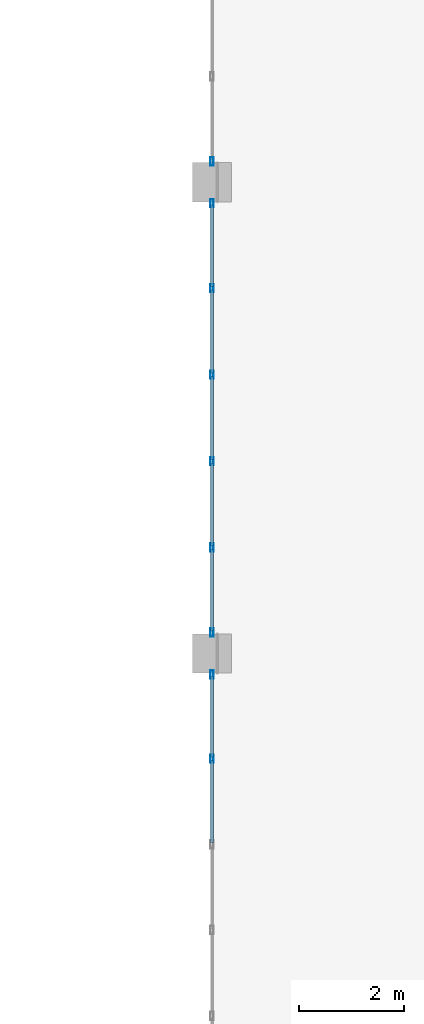
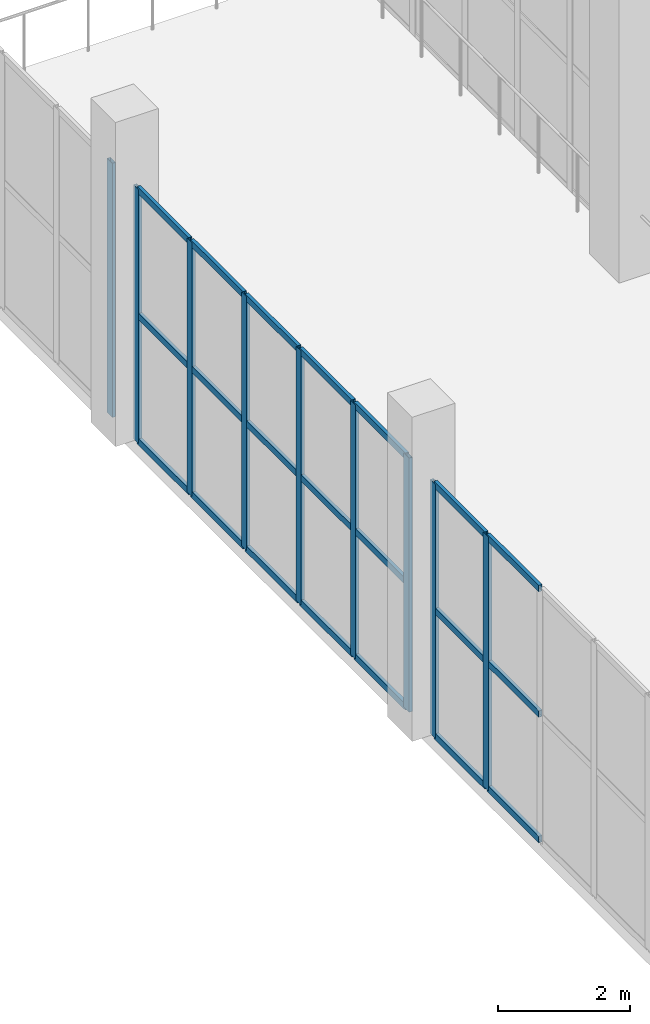
# One storey, part 108 of 223: 30 members, 3 elements without a shape of their own.
"""IFC4 building model written with IfcOpenShell, lengths in metres."""

import ifcopenshell
import ifcopenshell.guid

model = None  # the IFC model being written
_history = None  # IfcOwnerHistory: only IFC2X3 demands one
_inside = {}  # id of a spatial element -> (the spatial element, [elements in it])
_under = {}  # id of a project, library or spatial element -> (it, [spatial elements below it])
_declared = {}  # id of a project -> (the project, [libraries it declares])
_typed = {}  # id of a type object -> (the type object, [elements of that type])
_made_of = {}  # id of a material, layer set ... -> (it, [elements and type objects made of it])


def new_model(schema):
    """Start an empty IFC model of exactly this schema.

    Asked for "IFC4X3", IfcOpenShell would pick the latest addendum, in which some entities
    have other attributes; the version numbers below select the first issue.
    IFC2X3 requires an IfcOwnerHistory on every rooted entity: one is made here for all.
    """
    global model, _history
    if schema == "IFC4X3":
        model = ifcopenshell.file(schema_version=(4, 3, 0, 0))
    else:
        model = ifcopenshell.file(schema=schema)
    _inside.clear()
    _under.clear()
    _declared.clear()
    _typed.clear()
    _made_of.clear()
    _history = None
    if model.schema == "IFC2X3":
        org = make("IfcOrganization", Name="unknown")
        user = make(
            "IfcPersonAndOrganization",
            ThePerson=make("IfcPerson", FamilyName="unknown"),
            TheOrganization=org,
        )
        app = make(
            "IfcApplication",
            ApplicationDeveloper=org,
            Version="unknown",
            ApplicationFullName="unknown",
            ApplicationIdentifier="unknown",
        )
        _history = make(
            "IfcOwnerHistory",
            OwningUser=user,
            OwningApplication=app,
            ChangeAction="ADDED",
            CreationDate=0,
        )
    return model


def make(cls, **values):
    """One entity of the class cls with the attributes given. An attribute that is None is left unset."""
    return model.create_entity(
        cls, **{name: value for name, value in values.items() if value is not None}
    )


def rooted(cls, **values):
    """An entity with a GlobalId (a new one), such as an element, a storey or a relation."""
    return make(cls, GlobalId=ifcopenshell.guid.new(), OwnerHistory=_history, **values)


def si_unit(unit_type, name, prefix=None):
    """IfcSIUnit, for example si_unit("LENGTHUNIT", "METRE", prefix="MILLI")."""
    return make("IfcSIUnit", UnitType=unit_type, Prefix=prefix, Name=name)


def assignment(units):
    """IfcUnitAssignment: the units of a project."""
    return None if units is None else make("IfcUnitAssignment", Units=units)


def point(xyz):
    """IfcCartesianPoint."""
    return None if xyz is None else make("IfcCartesianPoint", Coordinates=xyz)


def direction(xyz):
    """IfcDirection."""
    return None if xyz is None else make("IfcDirection", DirectionRatios=xyz)


def frame(location, z_axis=None, x_axis=None):
    """IfcAxis2Placement3D, a coordinate frame: its origin and axes. An axis left out is left unset."""
    return make(
        "IfcAxis2Placement3D",
        Location=point(location),
        Axis=direction(z_axis),
        RefDirection=direction(x_axis),
    )


def frame_2d(location, x_axis=None):
    """IfcAxis2Placement2D, a coordinate frame in the plane: its origin and x axis."""
    return make(
        "IfcAxis2Placement2D", Location=point(location), RefDirection=direction(x_axis)
    )


def origin():
    """The frame at (0, 0, 0) with its axes left unset."""
    return frame((0.0, 0.0, 0.0))


def origin_2d():
    """The frame at (0, 0) in the plane with its x axis left unset."""
    return frame_2d((0.0, 0.0))


def place(relative_to, where):
    """IfcLocalPlacement: puts the frame where relative to a parent placement (None: the world)."""
    return make(
        "IfcLocalPlacement", PlacementRelTo=relative_to, RelativePlacement=where
    )


def context(
    kind, dimensions, precision=None, world=None, true_north=None, identifier=None
):
    """IfcGeometricRepresentationContext, for example the 3D "Model" context."""
    return make(
        "IfcGeometricRepresentationContext",
        ContextIdentifier=identifier,
        ContextType=kind,
        CoordinateSpaceDimension=dimensions,
        Precision=precision,
        WorldCoordinateSystem=world,
        TrueNorth=true_north,
    )


def subcontext(parent, identifier, kind, view, scale=None):
    """IfcGeometricRepresentationSubContext, for example "Body" below "Model"."""
    return make(
        "IfcGeometricRepresentationSubContext",
        ContextIdentifier=identifier,
        ContextType=kind,
        ParentContext=parent,
        TargetScale=scale,
        TargetView=view,
    )


def project(units=None, contexts=None):
    """IfcProject with its units and contexts."""
    return rooted(
        "IfcProject",
        Name="project",
        RepresentationContexts=contexts,
        UnitsInContext=assignment(units),
    )


def spatial(cls, under=None, at=None, **own):
    """A site, building, storey or space (cls), placed at a placement, below another one or the project."""
    s = rooted(cls, ObjectPlacement=at, **own)
    if under is not None:
        _under.setdefault(under.id(), (under, []))[1].append(s)
    return s


def profile(cls, at=None, kind="AREA", **sizes):
    """A parametric profile (cls). Its sizes go by their IFC names, for example OverallWidth=200.0."""
    return make(cls, ProfileType=kind, Position=at, **sizes)


def hollow_rectangle(**sizes):
    """IfcRectangleHollowProfileDef."""
    return profile("IfcRectangleHollowProfileDef", **sizes)


def extrude(swept, where, along, depth):
    """IfcExtrudedAreaSolid: the profile swept, set in the frame where, extruded along a direction by depth."""
    return make(
        "IfcExtrudedAreaSolid",
        SweptArea=swept,
        Position=where,
        ExtrudedDirection=direction(along),
        Depth=depth,
    )


def shape(context_of_items, identifier, shape_type, items):
    """IfcShapeRepresentation: the items that make up one representation, for example the "Body"."""
    return make(
        "IfcShapeRepresentation",
        ContextOfItems=context_of_items,
        RepresentationIdentifier=identifier,
        RepresentationType=shape_type,
        Items=items,
    )


def material(Name=None, Category=None):
    """IfcMaterial."""
    return make("IfcMaterial", Name=Name, Category=Category)


def layer(
    of_material, thickness, ventilated=None, Name=None, Category=None, Priority=None
):
    """IfcMaterialLayer: one layer of a wall or slab, of a material (None: an air gap)."""
    return make(
        "IfcMaterialLayer",
        Material=of_material,
        LayerThickness=thickness,
        IsVentilated=ventilated,
        Name=Name,
        Category=Category,
        Priority=Priority,
    )


def layer_set(layers, Name=None):
    """IfcMaterialLayerSet."""
    return make("IfcMaterialLayerSet", MaterialLayers=layers, LayerSetName=Name)


def material_profile(
    of_material, cross_section, Name=None, Category=None, Priority=None
):
    """IfcMaterialProfile: a cross section and its material."""
    return make(
        "IfcMaterialProfile",
        Name=Name,
        Material=of_material,
        Profile=cross_section,
        Priority=Priority,
        Category=Category,
    )


def profile_set(profiles, Name=None, composite=None):
    """IfcMaterialProfileSet."""
    return make(
        "IfcMaterialProfileSet",
        Name=Name,
        MaterialProfiles=profiles,
        CompositeProfile=composite,
    )


def made_of(thing, what):
    """Note that an element or type object is made of a material, layer set ...; save() writes the relation."""
    if what is not None:
        _made_of.setdefault(what.id(), (what, []))[1].append(thing)
    return thing


def type_object(cls, material=None, **own):
    """A type object (cls), such as IfcWallType, which elements share."""
    return made_of(rooted(cls, **own), material)


def element(
    cls,
    number,
    at=None,
    inside=None,
    cuts=None,
    type_object=None,
    material=None,
    context=None,
    identifier="Body",
    shape_type=None,
    held_by="IfcProductDefinitionShape",
    body=None,
    shapes=None,
    **own,
):
    """One element of the class cls, such as IfcWall. Its Tag is "e" and its number.

    at: its placement. inside: the storey or other place that contains it. cuts: it is an
    opening in that element (IfcRelVoidsElement). A single representation is given by context,
    identifier, shape_type and body (its items); several are given by shapes. held_by: the class
    of the entity that holds the representations. save() writes the other relations.
    """
    e = rooted(cls, Tag="e%d" % number, ObjectPlacement=at, **own)
    if body is not None:
        shapes = [shape(context, identifier, shape_type, body)]
    if shapes is not None:
        e.Representation = make(held_by, Representations=shapes)
    if inside is not None:
        _inside.setdefault(inside.id(), (inside, []))[1].append(e)
    if cuts is not None:
        rooted(
            "IfcRelVoidsElement", RelatingBuildingElement=cuts, RelatedOpeningElement=e
        )
    if type_object is not None:
        _typed.setdefault(type_object.id(), (type_object, []))[1].append(e)
    return made_of(e, material)


def aggregate(whole, parts):
    """IfcRelAggregates: a whole, such as a stair, and the parts it consists of."""
    return rooted("IfcRelAggregates", RelatingObject=whole, RelatedObjects=parts)


def save(model, path):
    """Write the relations noted so far, then the file.

    IfcRelAggregates (storeys below a building ...), IfcRelContainedInSpatialStructure (elements
    in a storey), IfcRelDefinesByType, IfcRelAssociatesMaterial and IfcRelDeclares: one each for
    every whole, place, type object, material and project.
    """
    for whole, parts in _under.values():
        aggregate(whole, parts)
    for where, things in _inside.values():
        rooted(
            "IfcRelContainedInSpatialStructure",
            RelatedElements=things,
            RelatingStructure=where,
        )
    for kind, things in _typed.values():
        rooted("IfcRelDefinesByType", RelatedObjects=things, RelatingType=kind)
    for what, things in _made_of.values():
        rooted("IfcRelAssociatesMaterial", RelatedObjects=things, RelatingMaterial=what)
    for by, libraries in _declared.values():
        rooted("IfcRelDeclares", RelatingContext=by, RelatedDefinitions=libraries)
    model.write(path)


model = new_model("IFC4")

# Units and contexts
model_context = context("Model", 3, precision=1e-05, world=origin(), true_north=direction((0.0, 1.0)))
body_context = subcontext(model_context, "Body", "Model", "MODEL_VIEW")
ifc_project = project(units=[si_unit("LENGTHUNIT", "METRE"), si_unit("AREAUNIT", "SQUARE_METRE"), si_unit("VOLUMEUNIT", "CUBIC_METRE"), si_unit("PLANEANGLEUNIT", "RADIAN"), si_unit("MASSUNIT", "GRAM", prefix="KILO")], contexts=[model_context])

# Site, building, storey
site_placement = place(None, origin())
site = spatial("IfcSite", under=ifc_project, at=site_placement, CompositionType="ELEMENT")
building_placement = place(site_placement, origin())
building = spatial("IfcBuilding", under=site, at=building_placement, Name="Dornveld Trade and Exhibition Forum", CompositionType="ELEMENT")
storey_placement = place(building_placement, frame((0.0, 0.0, 6.0)))
storey = spatial("IfcBuildingStorey", under=building, at=storey_placement, Name="L01", CompositionType="ELEMENT", Elevation=6.0)

# Curtain wall, members
ifc_material_1 = material(Name="Dark-bronze anodised aluminium and low-E glass", Category="aluminium")
ifc_layer_1 = layer(ifc_material_1, 0.156982421875)
ifc_layer_set_1 = layer_set([ifc_layer_1], Name="Dark-bronze anodised aluminium and low-E glass")
curtain_wall_type_1 = type_object("IfcCurtainWallType", Name="CW-SYS-05", PredefinedType="USERDEFINED", material=ifc_layer_set_1)
curtain_wall_1_placement = place(storey_placement, origin())
curtain_wall_1 = element("IfcCurtainWall", 1, at=curtain_wall_1_placement, inside=storey, type_object=curtain_wall_type_1, Name="L01 unitised curtain wall 149", ObjectType="UNITISED_CURTAIN_WALL", PredefinedType="USERDEFINED")
ifc_material_2 = material(Name="Dark-bronze anodised aluminium", Category="aluminium")
ifc_material_profile_1 = material_profile(ifc_material_2, hollow_rectangle(XDim=0.06005859375, YDim=0.159912109375, WallThickness=0.00390625, at=origin_2d()), Name="RHS 160x60x4")
ifc_profile_set_1 = profile_set([ifc_material_profile_1], Name="Dark-bronze anodised aluminium")
member_type_1 = type_object("IfcMemberType", Name="CW-MUL-160", PredefinedType="MULLION", material=ifc_profile_set_1)
member_1_placement = place(storey_placement, frame((90.0, 143.59912109375, -0.00390625), z_axis=(0.0, 0.0, 1.0), x_axis=(1.0, 0.0, 0.0)))
member_1 = element("IfcMember", 2, at=member_1_placement, type_object=member_type_1, Name="CW-05 mullion 1", PredefinedType="MULLION", context=body_context, shape_type="SweptSolid", body=[
    extrude(hollow_rectangle(XDim=0.06005859375, YDim=0.159912109375, WallThickness=0.00390625, at=origin_2d()), origin(), (0.0, 0.0, 1.0), 4.703857421875),
])
member_2_placement = place(storey_placement, frame((90.0, 141.992431640625, -0.00390625), z_axis=(0.0, 0.0, 1.0), x_axis=(1.0, 0.0, 0.0)))
member_2 = element("IfcMember", 3, at=member_2_placement, type_object=member_type_1, Name="CW-05 mullion 2", PredefinedType="MULLION", context=body_context, shape_type="SweptSolid", body=[
    extrude(hollow_rectangle(XDim=0.06005859375, YDim=0.159912109375, WallThickness=0.00390625, at=origin_2d()), origin(), (0.0, 0.0, 1.0), 4.703857421875),
])

ifc_material_3 = material(Name="Dark-bronze anodised aluminium and low-E glass", Category="aluminium")
ifc_layer_2 = layer(ifc_material_3, 0.159912109375)
ifc_layer_set_2 = layer_set([ifc_layer_2], Name="Dark-bronze anodised aluminium and low-E glass")
curtain_wall_type_2 = type_object("IfcCurtainWallType", Name="CW-SYS-06", PredefinedType="USERDEFINED", material=ifc_layer_set_2)
curtain_wall_2_placement = place(storey_placement, origin())
curtain_wall_2 = element("IfcCurtainWall", 4, at=curtain_wall_2_placement, inside=storey, type_object=curtain_wall_type_2, Name="L01 unitised curtain wall 150", ObjectType="UNITISED_CURTAIN_WALL", PredefinedType="USERDEFINED")
member_3_placement = place(storey_placement, frame((90.0, 152.59912109375, -0.00390625), z_axis=(0.0, 0.0, 1.0), x_axis=(1.0, 0.0, 0.0)))
member_3 = element("IfcMember", 5, at=member_3_placement, type_object=member_type_1, Name="CW-06 mullion 1", PredefinedType="MULLION", context=body_context, shape_type="SweptSolid", body=[
    extrude(hollow_rectangle(XDim=0.06005859375, YDim=0.159912109375, WallThickness=0.00390625, at=origin_2d()), origin(), (0.0, 0.0, 1.0), 4.703857421875),
])
member_4_placement = place(storey_placement, frame((90.0, 150.977294921875, -0.00390625), z_axis=(0.0, 0.0, 1.0), x_axis=(1.0, 0.0, 0.0)))
member_4 = element("IfcMember", 6, at=member_4_placement, type_object=member_type_1, Name="CW-06 mullion 2", PredefinedType="MULLION", context=body_context, shape_type="SweptSolid", body=[
    extrude(hollow_rectangle(XDim=0.06005859375, YDim=0.159912109375, WallThickness=0.00390625, at=origin_2d()), origin(), (0.0, 0.0, 1.0), 4.703857421875),
])
member_5_placement = place(storey_placement, frame((90.0, 149.32568359375, -0.00390625), z_axis=(0.0, 0.0, 1.0), x_axis=(1.0, 0.0, 0.0)))
member_5 = element("IfcMember", 7, at=member_5_placement, type_object=member_type_1, Name="CW-06 mullion 3", PredefinedType="MULLION", context=body_context, shape_type="SweptSolid", body=[
    extrude(hollow_rectangle(XDim=0.06005859375, YDim=0.159912109375, WallThickness=0.00390625, at=origin_2d()), origin(), (0.0, 0.0, 1.0), 4.703857421875),
])
member_6_placement = place(storey_placement, frame((90.0, 147.67431640625, -0.00390625), z_axis=(0.0, 0.0, 1.0), x_axis=(1.0, 0.0, 0.0)))
member_6 = element("IfcMember", 8, at=member_6_placement, type_object=member_type_1, Name="CW-06 mullion 4", PredefinedType="MULLION", context=body_context, shape_type="SweptSolid", body=[
    extrude(hollow_rectangle(XDim=0.06005859375, YDim=0.159912109375, WallThickness=0.00390625, at=origin_2d()), origin(), (0.0, 0.0, 1.0), 4.703857421875),
])
member_7_placement = place(storey_placement, frame((90.0, 146.022705078125, -0.00390625), z_axis=(0.0, 0.0, 1.0), x_axis=(1.0, 0.0, 0.0)))
member_7 = element("IfcMember", 9, at=member_7_placement, type_object=member_type_1, Name="CW-06 mullion 5", PredefinedType="MULLION", context=body_context, shape_type="SweptSolid", body=[
    extrude(hollow_rectangle(XDim=0.06005859375, YDim=0.159912109375, WallThickness=0.00390625, at=origin_2d()), origin(), (0.0, 0.0, 1.0), 4.703857421875),
])
member_8_placement = place(storey_placement, frame((90.0, 144.40087890625, -0.00390625), z_axis=(0.0, 0.0, 1.0), x_axis=(1.0, 0.0, 0.0)))
member_8 = element("IfcMember", 10, at=member_8_placement, type_object=member_type_1, Name="CW-06 mullion 6", PredefinedType="MULLION", context=body_context, shape_type="SweptSolid", body=[
    extrude(hollow_rectangle(XDim=0.06005859375, YDim=0.159912109375, WallThickness=0.00390625, at=origin_2d()), origin(), (0.0, 0.0, 1.0), 4.703857421875),
])

# Curtain wall, member
ifc_material_4 = material(Name="Dark-bronze anodised aluminium and low-E glass", Category="aluminium")
ifc_layer_3 = layer(ifc_material_4, 0.1630859375)
ifc_layer_set_3 = layer_set([ifc_layer_3], Name="Dark-bronze anodised aluminium and low-E glass")
curtain_wall_type_3 = type_object("IfcCurtainWallType", Name="CW-SYS-07", PredefinedType="USERDEFINED", material=ifc_layer_set_3)
curtain_wall_3_placement = place(storey_placement, origin())
curtain_wall_3 = element("IfcCurtainWall", 11, at=curtain_wall_3_placement, inside=storey, type_object=curtain_wall_type_3, Name="L01 unitised curtain wall 151", ObjectType="UNITISED_CURTAIN_WALL", PredefinedType="USERDEFINED")
member_9_placement = place(storey_placement, frame((90.0, 153.40087890625, -0.00390625), z_axis=(0.0, 0.0, 1.0), x_axis=(1.0, 0.0, 0.0)))
member_9 = element("IfcMember", 12, at=member_9_placement, type_object=member_type_1, Name="CW-07 mullion 6", PredefinedType="MULLION", context=body_context, shape_type="SweptSolid", body=[
    extrude(hollow_rectangle(XDim=0.06005859375, YDim=0.159912109375, WallThickness=0.00390625, at=origin_2d()), origin(), (0.0, 0.0, 1.0), 4.703857421875),
])
aggregate(curtain_wall_3, [member_9])

# Member
ifc_material_5 = material(Name="Dark-bronze anodised aluminium", Category="aluminium")
ifc_material_profile_2 = material_profile(ifc_material_5, hollow_rectangle(XDim=0.06005859375, YDim=0.1201171875, WallThickness=0.00390625, at=origin_2d()), Name="RHS 120x60x4")
ifc_profile_set_2 = profile_set([ifc_material_profile_2], Name="Dark-bronze anodised aluminium")
member_type_2 = type_object("IfcMemberType", Name="CW-TRN-120", PredefinedType="USERDEFINED", material=ifc_profile_set_2)
member_10_placement = place(storey_placement, frame((90.0, 143.569091796875, 0.02587890625), z_axis=(0.0, -1.0, 0.0), x_axis=(1.0, 0.0, 0.0)))
member_10 = element("IfcMember", 13, at=member_10_placement, type_object=member_type_2, Name="CW-05 transom 1.1", ObjectType="TRANSOM", PredefinedType="USERDEFINED", context=body_context, shape_type="SweptSolid", body=[
    extrude(hollow_rectangle(XDim=0.06005859375, YDim=0.1201171875, WallThickness=0.00390625, at=origin_2d()), origin(), (0.0, 0.0, 1.0), 1.546630859375),
])

member_11_placement = place(storey_placement, frame((90.0, 143.569091796875, 2.347900390625), z_axis=(0.0, -1.0, 0.0), x_axis=(1.0, 0.0, 0.0)))
member_11 = element("IfcMember", 14, at=member_11_placement, type_object=member_type_2, Name="CW-05 transom 1.2", ObjectType="TRANSOM", PredefinedType="USERDEFINED", context=body_context, shape_type="SweptSolid", body=[
    extrude(hollow_rectangle(XDim=0.06005859375, YDim=0.1201171875, WallThickness=0.00390625, at=origin_2d()), origin(), (0.0, 0.0, 1.0), 1.546630859375),
])

member_12_placement = place(storey_placement, frame((90.0, 143.569091796875, 4.669921875), z_axis=(0.0, -1.0, 0.0), x_axis=(1.0, 0.0, 0.0)))
member_12 = element("IfcMember", 15, at=member_12_placement, type_object=member_type_2, Name="CW-05 transom 1.3", ObjectType="TRANSOM", PredefinedType="USERDEFINED", context=body_context, shape_type="SweptSolid", body=[
    extrude(hollow_rectangle(XDim=0.06005859375, YDim=0.1201171875, WallThickness=0.00390625, at=origin_2d()), origin(), (0.0, 0.0, 1.0), 1.546630859375),
])

member_13_placement = place(storey_placement, frame((90.0, 141.96240234375, 0.02587890625), z_axis=(0.0, -1.0, 0.0), x_axis=(1.0, 0.0, 0.0)))
member_13 = element("IfcMember", 16, at=member_13_placement, type_object=member_type_2, Name="CW-05 transom 2.1", ObjectType="TRANSOM", PredefinedType="USERDEFINED", context=body_context, shape_type="SweptSolid", body=[
    extrude(hollow_rectangle(XDim=0.06005859375, YDim=0.1201171875, WallThickness=0.00390625, at=origin_2d()), origin(), (0.0, 0.0, 1.0), 1.57666015625),
])

member_14_placement = place(storey_placement, frame((90.0, 141.96240234375, 2.347900390625), z_axis=(0.0, -1.0, 0.0), x_axis=(1.0, 0.0, 0.0)))
member_14 = element("IfcMember", 17, at=member_14_placement, type_object=member_type_2, Name="CW-05 transom 2.2", ObjectType="TRANSOM", PredefinedType="USERDEFINED", context=body_context, shape_type="SweptSolid", body=[
    extrude(hollow_rectangle(XDim=0.06005859375, YDim=0.1201171875, WallThickness=0.00390625, at=origin_2d()), origin(), (0.0, 0.0, 1.0), 1.57666015625),
])

member_15_placement = place(storey_placement, frame((90.0, 141.96240234375, 4.669921875), z_axis=(0.0, -1.0, 0.0), x_axis=(1.0, 0.0, 0.0)))
member_15 = element("IfcMember", 18, at=member_15_placement, type_object=member_type_2, Name="CW-05 transom 2.3", ObjectType="TRANSOM", PredefinedType="USERDEFINED", context=body_context, shape_type="SweptSolid", body=[
    extrude(hollow_rectangle(XDim=0.06005859375, YDim=0.1201171875, WallThickness=0.00390625, at=origin_2d()), origin(), (0.0, 0.0, 1.0), 1.57666015625),
])

aggregate(curtain_wall_1, [member_1, member_2, member_10, member_11, member_12, member_13, member_14, member_15])

member_16_placement = place(storey_placement, frame((90.0, 152.569091796875, 0.02587890625), z_axis=(0.0, -1.0, 0.0), x_axis=(1.0, 0.0, 0.0)))
member_16 = element("IfcMember", 19, at=member_16_placement, type_object=member_type_2, Name="CW-06 transom 1.1", ObjectType="TRANSOM", PredefinedType="USERDEFINED", context=body_context, shape_type="SweptSolid", body=[
    extrude(hollow_rectangle(XDim=0.06005859375, YDim=0.1201171875, WallThickness=0.00390625, at=origin_2d()), origin(), (0.0, 0.0, 1.0), 1.561767578125),
])

member_17_placement = place(storey_placement, frame((90.0, 152.569091796875, 2.347900390625), z_axis=(0.0, -1.0, 0.0), x_axis=(1.0, 0.0, 0.0)))
member_17 = element("IfcMember", 20, at=member_17_placement, type_object=member_type_2, Name="CW-06 transom 1.2", ObjectType="TRANSOM", PredefinedType="USERDEFINED", context=body_context, shape_type="SweptSolid", body=[
    extrude(hollow_rectangle(XDim=0.06005859375, YDim=0.1201171875, WallThickness=0.00390625, at=origin_2d()), origin(), (0.0, 0.0, 1.0), 1.561767578125),
])

member_18_placement = place(storey_placement, frame((90.0, 152.569091796875, 4.669921875), z_axis=(0.0, -1.0, 0.0), x_axis=(1.0, 0.0, 0.0)))
member_18 = element("IfcMember", 21, at=member_18_placement, type_object=member_type_2, Name="CW-06 transom 1.3", ObjectType="TRANSOM", PredefinedType="USERDEFINED", context=body_context, shape_type="SweptSolid", body=[
    extrude(hollow_rectangle(XDim=0.06005859375, YDim=0.1201171875, WallThickness=0.00390625, at=origin_2d()), origin(), (0.0, 0.0, 1.0), 1.561767578125),
])

member_19_placement = place(storey_placement, frame((90.0, 150.947509765625, 0.02587890625), z_axis=(0.0, -1.0, 0.0), x_axis=(1.0, 0.0, 0.0)))
member_19 = element("IfcMember", 22, at=member_19_placement, type_object=member_type_2, Name="CW-06 transom 2.1", ObjectType="TRANSOM", PredefinedType="USERDEFINED", context=body_context, shape_type="SweptSolid", body=[
    extrude(hollow_rectangle(XDim=0.06005859375, YDim=0.1201171875, WallThickness=0.00390625, at=origin_2d()), origin(), (0.0, 0.0, 1.0), 1.591796875),
])

member_20_placement = place(storey_placement, frame((90.0, 150.947509765625, 2.347900390625), z_axis=(0.0, -1.0, 0.0), x_axis=(1.0, 0.0, 0.0)))
member_20 = element("IfcMember", 23, at=member_20_placement, type_object=member_type_2, Name="CW-06 transom 2.2", ObjectType="TRANSOM", PredefinedType="USERDEFINED", context=body_context, shape_type="SweptSolid", body=[
    extrude(hollow_rectangle(XDim=0.06005859375, YDim=0.1201171875, WallThickness=0.00390625, at=origin_2d()), origin(), (0.0, 0.0, 1.0), 1.591796875),
])

member_21_placement = place(storey_placement, frame((90.0, 150.947509765625, 4.669921875), z_axis=(0.0, -1.0, 0.0), x_axis=(1.0, 0.0, 0.0)))
member_21 = element("IfcMember", 24, at=member_21_placement, type_object=member_type_2, Name="CW-06 transom 2.3", ObjectType="TRANSOM", PredefinedType="USERDEFINED", context=body_context, shape_type="SweptSolid", body=[
    extrude(hollow_rectangle(XDim=0.06005859375, YDim=0.1201171875, WallThickness=0.00390625, at=origin_2d()), origin(), (0.0, 0.0, 1.0), 1.591796875),
])

member_22_placement = place(storey_placement, frame((90.0, 149.2958984375, 0.02587890625), z_axis=(0.0, -1.0, 0.0), x_axis=(1.0, 0.0, 0.0)))
member_22 = element("IfcMember", 25, at=member_22_placement, type_object=member_type_2, Name="CW-06 transom 3.1", ObjectType="TRANSOM", PredefinedType="USERDEFINED", context=body_context, shape_type="SweptSolid", body=[
    extrude(hollow_rectangle(XDim=0.06005859375, YDim=0.1201171875, WallThickness=0.00390625, at=origin_2d()), origin(), (0.0, 0.0, 1.0), 1.591796875),
])

member_23_placement = place(storey_placement, frame((90.0, 149.2958984375, 2.347900390625), z_axis=(0.0, -1.0, 0.0), x_axis=(1.0, 0.0, 0.0)))
member_23 = element("IfcMember", 26, at=member_23_placement, type_object=member_type_2, Name="CW-06 transom 3.2", ObjectType="TRANSOM", PredefinedType="USERDEFINED", context=body_context, shape_type="SweptSolid", body=[
    extrude(hollow_rectangle(XDim=0.06005859375, YDim=0.1201171875, WallThickness=0.00390625, at=origin_2d()), origin(), (0.0, 0.0, 1.0), 1.591796875),
])

member_24_placement = place(storey_placement, frame((90.0, 149.2958984375, 4.669921875), z_axis=(0.0, -1.0, 0.0), x_axis=(1.0, 0.0, 0.0)))
member_24 = element("IfcMember", 27, at=member_24_placement, type_object=member_type_2, Name="CW-06 transom 3.3", ObjectType="TRANSOM", PredefinedType="USERDEFINED", context=body_context, shape_type="SweptSolid", body=[
    extrude(hollow_rectangle(XDim=0.06005859375, YDim=0.1201171875, WallThickness=0.00390625, at=origin_2d()), origin(), (0.0, 0.0, 1.0), 1.591796875),
])

member_25_placement = place(storey_placement, frame((90.0, 147.644287109375, 0.02587890625), z_axis=(0.0, -1.0, 0.0), x_axis=(1.0, 0.0, 0.0)))
member_25 = element("IfcMember", 28, at=member_25_placement, type_object=member_type_2, Name="CW-06 transom 4.1", ObjectType="TRANSOM", PredefinedType="USERDEFINED", context=body_context, shape_type="SweptSolid", body=[
    extrude(hollow_rectangle(XDim=0.06005859375, YDim=0.1201171875, WallThickness=0.00390625, at=origin_2d()), origin(), (0.0, 0.0, 1.0), 1.591796875),
])

member_26_placement = place(storey_placement, frame((90.0, 147.644287109375, 2.347900390625), z_axis=(0.0, -1.0, 0.0), x_axis=(1.0, 0.0, 0.0)))
member_26 = element("IfcMember", 29, at=member_26_placement, type_object=member_type_2, Name="CW-06 transom 4.2", ObjectType="TRANSOM", PredefinedType="USERDEFINED", context=body_context, shape_type="SweptSolid", body=[
    extrude(hollow_rectangle(XDim=0.06005859375, YDim=0.1201171875, WallThickness=0.00390625, at=origin_2d()), origin(), (0.0, 0.0, 1.0), 1.591796875),
])

member_27_placement = place(storey_placement, frame((90.0, 147.644287109375, 4.669921875), z_axis=(0.0, -1.0, 0.0), x_axis=(1.0, 0.0, 0.0)))
member_27 = element("IfcMember", 30, at=member_27_placement, type_object=member_type_2, Name="CW-06 transom 4.3", ObjectType="TRANSOM", PredefinedType="USERDEFINED", context=body_context, shape_type="SweptSolid", body=[
    extrude(hollow_rectangle(XDim=0.06005859375, YDim=0.1201171875, WallThickness=0.00390625, at=origin_2d()), origin(), (0.0, 0.0, 1.0), 1.591796875),
])

member_28_placement = place(storey_placement, frame((90.0, 145.99267578125, 0.02587890625), z_axis=(0.0, -1.0, 0.0), x_axis=(1.0, 0.0, 0.0)))
member_28 = element("IfcMember", 31, at=member_28_placement, type_object=member_type_2, Name="CW-06 transom 5.1", ObjectType="TRANSOM", PredefinedType="USERDEFINED", context=body_context, shape_type="SweptSolid", body=[
    extrude(hollow_rectangle(XDim=0.06005859375, YDim=0.1201171875, WallThickness=0.00390625, at=origin_2d()), origin(), (0.0, 0.0, 1.0), 1.561767578125),
])

member_29_placement = place(storey_placement, frame((90.0, 145.99267578125, 2.347900390625), z_axis=(0.0, -1.0, 0.0), x_axis=(1.0, 0.0, 0.0)))
member_29 = element("IfcMember", 32, at=member_29_placement, type_object=member_type_2, Name="CW-06 transom 5.2", ObjectType="TRANSOM", PredefinedType="USERDEFINED", context=body_context, shape_type="SweptSolid", body=[
    extrude(hollow_rectangle(XDim=0.06005859375, YDim=0.1201171875, WallThickness=0.00390625, at=origin_2d()), origin(), (0.0, 0.0, 1.0), 1.561767578125),
])

member_30_placement = place(storey_placement, frame((90.0, 145.99267578125, 4.669921875), z_axis=(0.0, -1.0, 0.0), x_axis=(1.0, 0.0, 0.0)))
member_30 = element("IfcMember", 33, at=member_30_placement, type_object=member_type_2, Name="CW-06 transom 5.3", ObjectType="TRANSOM", PredefinedType="USERDEFINED", context=body_context, shape_type="SweptSolid", body=[
    extrude(hollow_rectangle(XDim=0.06005859375, YDim=0.1201171875, WallThickness=0.00390625, at=origin_2d()), origin(), (0.0, 0.0, 1.0), 1.561767578125),
])

aggregate(curtain_wall_2, [member_3, member_4, member_5, member_6, member_7, member_8, member_16, member_17, member_18, member_19, member_20, member_21, member_22, member_23, member_24, member_25, member_26, member_27, member_28, member_29, member_30])

save(model, "model.ifc")
